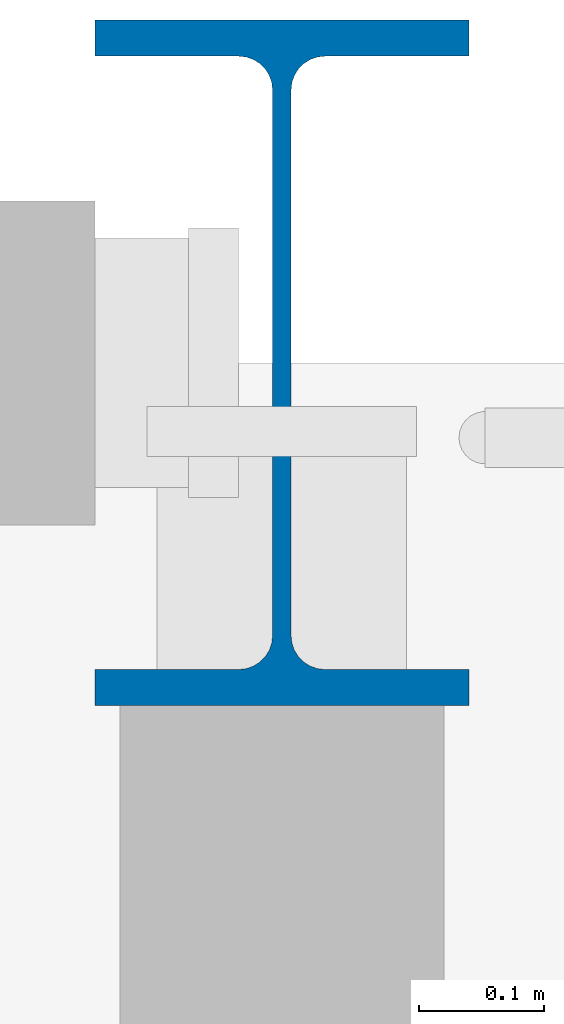
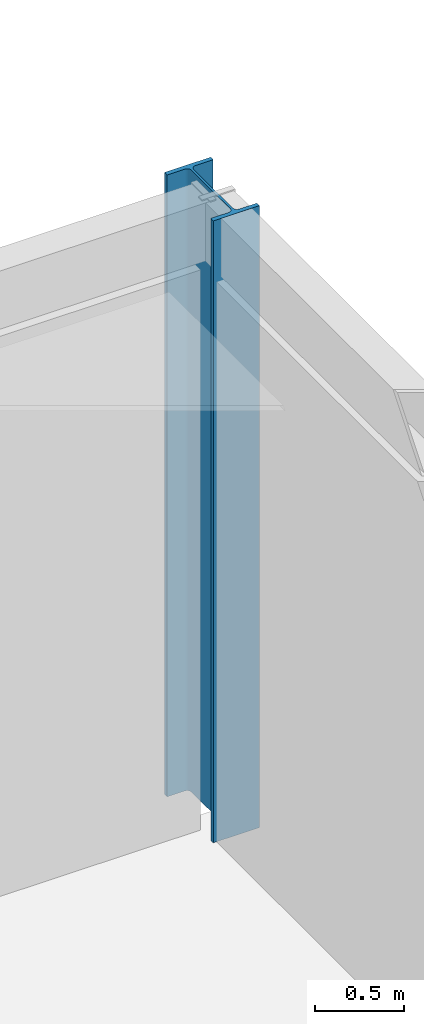
# One storey, part 4 of 44: 1 column.
"""IFC4 building model written with IfcOpenShell, lengths in metres."""

import ifcopenshell
import ifcopenshell.guid

model = None  # the IFC model being written
_history = None  # IfcOwnerHistory: only IFC2X3 demands one
_inside = {}  # id of a spatial element -> (the spatial element, [elements in it])
_under = {}  # id of a project, library or spatial element -> (it, [spatial elements below it])
_declared = {}  # id of a project -> (the project, [libraries it declares])
_typed = {}  # id of a type object -> (the type object, [elements of that type])
_made_of = {}  # id of a material, layer set ... -> (it, [elements and type objects made of it])


def new_model(schema):
    """Start an empty IFC model of exactly this schema.

    Asked for "IFC4X3", IfcOpenShell would pick the latest addendum, in which some entities
    have other attributes; the version numbers below select the first issue.
    IFC2X3 requires an IfcOwnerHistory on every rooted entity: one is made here for all.
    """
    global model, _history
    if schema == "IFC4X3":
        model = ifcopenshell.file(schema_version=(4, 3, 0, 0))
    else:
        model = ifcopenshell.file(schema=schema)
    _inside.clear()
    _under.clear()
    _declared.clear()
    _typed.clear()
    _made_of.clear()
    _history = None
    if model.schema == "IFC2X3":
        org = make("IfcOrganization", Name="unknown")
        user = make(
            "IfcPersonAndOrganization",
            ThePerson=make("IfcPerson", FamilyName="unknown"),
            TheOrganization=org,
        )
        app = make(
            "IfcApplication",
            ApplicationDeveloper=org,
            Version="unknown",
            ApplicationFullName="unknown",
            ApplicationIdentifier="unknown",
        )
        _history = make(
            "IfcOwnerHistory",
            OwningUser=user,
            OwningApplication=app,
            ChangeAction="ADDED",
            CreationDate=0,
        )
    return model


def make(cls, **values):
    """One entity of the class cls with the attributes given. An attribute that is None is left unset."""
    return model.create_entity(
        cls, **{name: value for name, value in values.items() if value is not None}
    )


def rooted(cls, **values):
    """An entity with a GlobalId (a new one), such as an element, a storey or a relation."""
    return make(cls, GlobalId=ifcopenshell.guid.new(), OwnerHistory=_history, **values)


def si_unit(unit_type, name, prefix=None):
    """IfcSIUnit, for example si_unit("LENGTHUNIT", "METRE", prefix="MILLI")."""
    return make("IfcSIUnit", UnitType=unit_type, Prefix=prefix, Name=name)


def assignment(units):
    """IfcUnitAssignment: the units of a project."""
    return None if units is None else make("IfcUnitAssignment", Units=units)


def point(xyz):
    """IfcCartesianPoint."""
    return None if xyz is None else make("IfcCartesianPoint", Coordinates=xyz)


def direction(xyz):
    """IfcDirection."""
    return None if xyz is None else make("IfcDirection", DirectionRatios=xyz)


def frame(location, z_axis=None, x_axis=None):
    """IfcAxis2Placement3D, a coordinate frame: its origin and axes. An axis left out is left unset."""
    return make(
        "IfcAxis2Placement3D",
        Location=point(location),
        Axis=direction(z_axis),
        RefDirection=direction(x_axis),
    )


def frame_2d(location, x_axis=None):
    """IfcAxis2Placement2D, a coordinate frame in the plane: its origin and x axis."""
    return make(
        "IfcAxis2Placement2D", Location=point(location), RefDirection=direction(x_axis)
    )


def origin():
    """The frame at (0, 0, 0) with its axes left unset."""
    return frame((0.0, 0.0, 0.0))


def origin_2d():
    """The frame at (0, 0) in the plane with its x axis left unset."""
    return frame_2d((0.0, 0.0))


def place(relative_to, where):
    """IfcLocalPlacement: puts the frame where relative to a parent placement (None: the world)."""
    return make(
        "IfcLocalPlacement", PlacementRelTo=relative_to, RelativePlacement=where
    )


def context(
    kind, dimensions, precision=None, world=None, true_north=None, identifier=None
):
    """IfcGeometricRepresentationContext, for example the 3D "Model" context."""
    return make(
        "IfcGeometricRepresentationContext",
        ContextIdentifier=identifier,
        ContextType=kind,
        CoordinateSpaceDimension=dimensions,
        Precision=precision,
        WorldCoordinateSystem=world,
        TrueNorth=true_north,
    )


def subcontext(parent, identifier, kind, view, scale=None):
    """IfcGeometricRepresentationSubContext, for example "Body" below "Model"."""
    return make(
        "IfcGeometricRepresentationSubContext",
        ContextIdentifier=identifier,
        ContextType=kind,
        ParentContext=parent,
        TargetScale=scale,
        TargetView=view,
    )


def project(units=None, contexts=None):
    """IfcProject with its units and contexts."""
    return rooted(
        "IfcProject",
        Name="project",
        RepresentationContexts=contexts,
        UnitsInContext=assignment(units),
    )


def spatial(cls, under=None, at=None, **own):
    """A site, building, storey or space (cls), placed at a placement, below another one or the project."""
    s = rooted(cls, ObjectPlacement=at, **own)
    if under is not None:
        _under.setdefault(under.id(), (under, []))[1].append(s)
    return s


def profile(cls, at=None, kind="AREA", **sizes):
    """A parametric profile (cls). Its sizes go by their IFC names, for example OverallWidth=200.0."""
    return make(cls, ProfileType=kind, Position=at, **sizes)


def i_section(**sizes):
    """IfcIShapeProfileDef."""
    return profile("IfcIShapeProfileDef", **sizes)


def extrude(swept, where, along, depth):
    """IfcExtrudedAreaSolid: the profile swept, set in the frame where, extruded along a direction by depth."""
    return make(
        "IfcExtrudedAreaSolid",
        SweptArea=swept,
        Position=where,
        ExtrudedDirection=direction(along),
        Depth=depth,
    )


def shape(context_of_items, identifier, shape_type, items):
    """IfcShapeRepresentation: the items that make up one representation, for example the "Body"."""
    return make(
        "IfcShapeRepresentation",
        ContextOfItems=context_of_items,
        RepresentationIdentifier=identifier,
        RepresentationType=shape_type,
        Items=items,
    )


def material(Name=None, Category=None):
    """IfcMaterial."""
    return make("IfcMaterial", Name=Name, Category=Category)


def material_profile(
    of_material, cross_section, Name=None, Category=None, Priority=None
):
    """IfcMaterialProfile: a cross section and its material."""
    return make(
        "IfcMaterialProfile",
        Name=Name,
        Material=of_material,
        Profile=cross_section,
        Priority=Priority,
        Category=Category,
    )


def profile_set(profiles, Name=None, composite=None):
    """IfcMaterialProfileSet."""
    return make(
        "IfcMaterialProfileSet",
        Name=Name,
        MaterialProfiles=profiles,
        CompositeProfile=composite,
    )


def made_of(thing, what):
    """Note that an element or type object is made of a material, layer set ...; save() writes the relation."""
    if what is not None:
        _made_of.setdefault(what.id(), (what, []))[1].append(thing)
    return thing


def type_object(cls, material=None, **own):
    """A type object (cls), such as IfcWallType, which elements share."""
    return made_of(rooted(cls, **own), material)


def element(
    cls,
    number,
    at=None,
    inside=None,
    cuts=None,
    type_object=None,
    material=None,
    context=None,
    identifier="Body",
    shape_type=None,
    held_by="IfcProductDefinitionShape",
    body=None,
    shapes=None,
    **own,
):
    """One element of the class cls, such as IfcWall. Its Tag is "e" and its number.

    at: its placement. inside: the storey or other place that contains it. cuts: it is an
    opening in that element (IfcRelVoidsElement). A single representation is given by context,
    identifier, shape_type and body (its items); several are given by shapes. held_by: the class
    of the entity that holds the representations. save() writes the other relations.
    """
    e = rooted(cls, Tag="e%d" % number, ObjectPlacement=at, **own)
    if body is not None:
        shapes = [shape(context, identifier, shape_type, body)]
    if shapes is not None:
        e.Representation = make(held_by, Representations=shapes)
    if inside is not None:
        _inside.setdefault(inside.id(), (inside, []))[1].append(e)
    if cuts is not None:
        rooted(
            "IfcRelVoidsElement", RelatingBuildingElement=cuts, RelatedOpeningElement=e
        )
    if type_object is not None:
        _typed.setdefault(type_object.id(), (type_object, []))[1].append(e)
    return made_of(e, material)


def aggregate(whole, parts):
    """IfcRelAggregates: a whole, such as a stair, and the parts it consists of."""
    return rooted("IfcRelAggregates", RelatingObject=whole, RelatedObjects=parts)


def save(model, path):
    """Write the relations noted so far, then the file.

    IfcRelAggregates (storeys below a building ...), IfcRelContainedInSpatialStructure (elements
    in a storey), IfcRelDefinesByType, IfcRelAssociatesMaterial and IfcRelDeclares: one each for
    every whole, place, type object, material and project.
    """
    for whole, parts in _under.values():
        aggregate(whole, parts)
    for where, things in _inside.values():
        rooted(
            "IfcRelContainedInSpatialStructure",
            RelatedElements=things,
            RelatingStructure=where,
        )
    for kind, things in _typed.values():
        rooted("IfcRelDefinesByType", RelatedObjects=things, RelatingType=kind)
    for what, things in _made_of.values():
        rooted("IfcRelAssociatesMaterial", RelatedObjects=things, RelatingMaterial=what)
    for by, libraries in _declared.values():
        rooted("IfcRelDeclares", RelatingContext=by, RelatedDefinitions=libraries)
    model.write(path)


model = new_model("IFC4")

# Units and contexts
model_context = context("Model", 3, precision=1e-05, world=origin(), true_north=direction((0.0, 1.0)))
body_context = subcontext(model_context, "Body", "Model", "MODEL_VIEW")
ifc_project = project(units=[si_unit("LENGTHUNIT", "METRE"), si_unit("AREAUNIT", "SQUARE_METRE"), si_unit("VOLUMEUNIT", "CUBIC_METRE"), si_unit("PLANEANGLEUNIT", "RADIAN"), si_unit("MASSUNIT", "GRAM", prefix="KILO")], contexts=[model_context])

# Site, building, storey
site_placement = place(None, origin())
site = spatial("IfcSite", under=ifc_project, at=site_placement, CompositionType="ELEMENT")
building_placement = place(site_placement, origin())
building = spatial("IfcBuilding", under=site, at=building_placement, Name="Marlcrest Central Station", CompositionType="ELEMENT")
storey_placement = place(building_placement, frame((0.0, 0.0, 19.5)))
storey = spatial("IfcBuildingStorey", under=building, at=storey_placement, Name="L04", CompositionType="ELEMENT", Elevation=19.5)

# Column
ifc_material = material(Name="Steel S355", Category="steel")
ifc_material_profile = material_profile(ifc_material, i_section(OverallWidth=0.300048828125, OverallDepth=0.550048828125, WebThickness=0.014892578125, FlangeThickness=0.029052734375, FilletRadius=0.027099609375, at=origin_2d()), Name="HEB 550")
ifc_profile_set = profile_set([ifc_material_profile], Name="Steel S355")
column_type = type_object("IfcColumnType", Name="SC-04", PredefinedType="COLUMN", material=ifc_profile_set)
column_placement = place(storey_placement, frame((63.0, 132.0, 0.0), z_axis=(0.0, 0.0, 1.0), x_axis=(1.0, 0.0, 0.0)))
element("IfcColumn", 1, at=column_placement, inside=storey, type_object=column_type, Name="col-SC-04-L04-0224", PredefinedType="COLUMN", context=body_context, shape_type="SweptSolid", body=[
    extrude(i_section(OverallWidth=0.300048828125, OverallDepth=0.550048828125, WebThickness=0.014892578125, FlangeThickness=0.029052734375, FilletRadius=0.027099609375, at=origin_2d()), origin(), (0.0, 0.0, 1.0), 4.27490234375),
])

save(model, "model.ifc")
